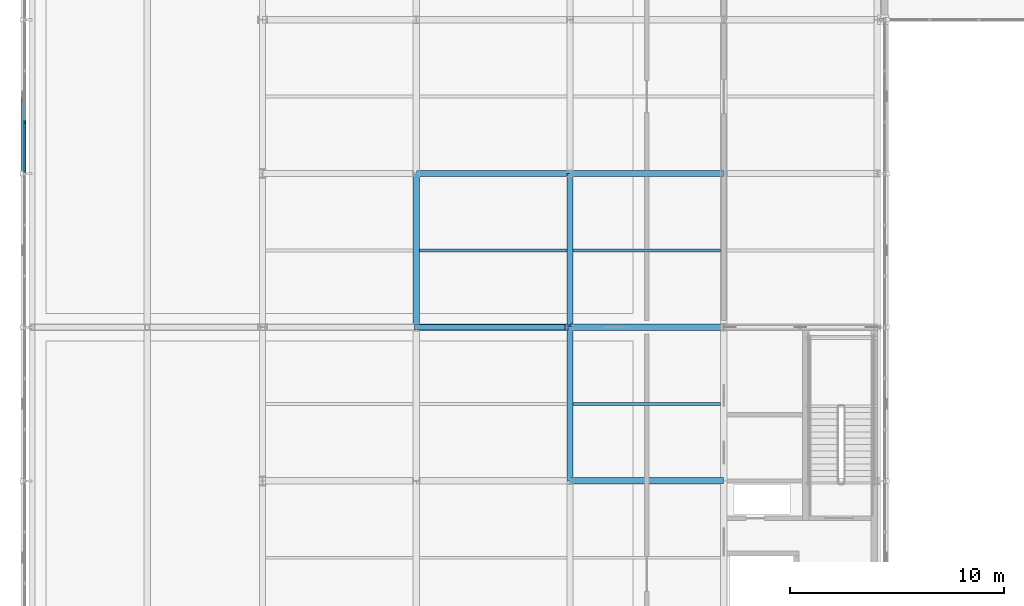
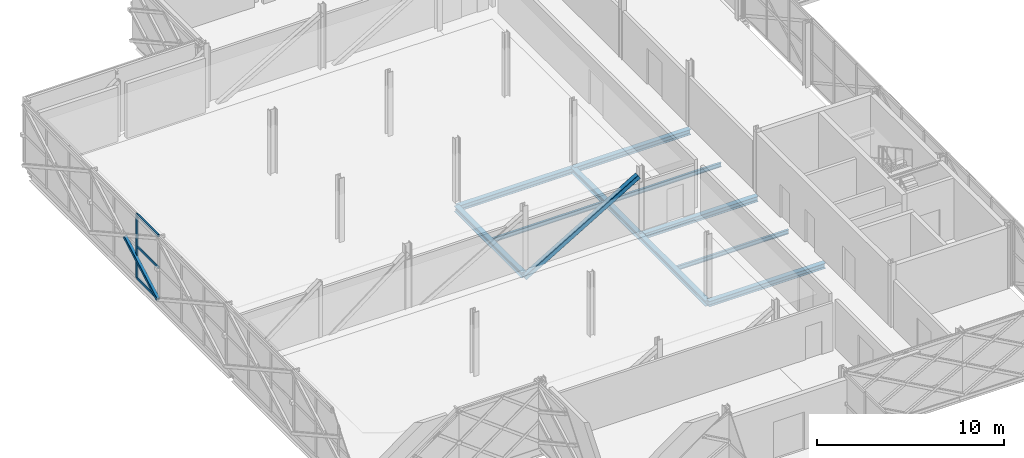
# One storey, part 41 of 126: 10 beams, 6 members, 1 element without a shape of its own.
"""IFC4 building model written with IfcOpenShell, lengths in metres."""

from ifc_helpers import new_model, si_unit, direction, frame, origin, origin_2d, place, context, subcontext, project, spatial, rectangle, hollow_rectangle, i_section, extrude, material, material_profile, profile_set, type_object, element, aggregate, save


model = new_model("IFC4")

# Units and contexts
model_context = context("Model", 3, precision=1e-05, world=origin(), true_north=direction((0.0, 1.0)))
body_context = subcontext(model_context, "Body", "Model", "MODEL_VIEW")
ifc_project = project(units=[si_unit("LENGTHUNIT", "METRE"), si_unit("AREAUNIT", "SQUARE_METRE"), si_unit("VOLUMEUNIT", "CUBIC_METRE"), si_unit("PLANEANGLEUNIT", "RADIAN"), si_unit("MASSUNIT", "GRAM", prefix="KILO")], contexts=[model_context])

# Site, building, storey
site_placement = place(None, origin())
site = spatial("IfcSite", under=ifc_project, at=site_placement, CompositionType="ELEMENT")
building_placement = place(site_placement, origin())
building = spatial("IfcBuilding", under=site, at=building_placement, Name="Zlatovets Crest Museum", CompositionType="ELEMENT")
storey_placement = place(building_placement, frame((0.0, 0.0, 8.699951171875)))
storey = spatial("IfcBuildingStorey", under=building, at=storey_placement, Name="L02", CompositionType="ELEMENT", Elevation=8.699951171875)

# Beams
ifc_material_1 = material(Name="Structural steel S355J2", Category="steel")
ifc_material_profile_1 = material_profile(ifc_material_1, i_section(OverallWidth=0.300048828125, OverallDepth=0.35009765625, WebThickness=0.010009765625, FlangeThickness=0.017578125, FilletRadius=0.027099609375, at=origin_2d()), Name="HEA 360")
ifc_profile_set_1 = profile_set([ifc_material_profile_1], Name="Structural steel S355J2")
beam_type_1 = type_object("IfcBeamType", Name="Beam_B-03", PredefinedType="BEAM", material=ifc_profile_set_1)
for number, where, z_axis, x_axis, name in (
    (1, (21.60009765625, 64.800048828125, -0.39501953125), (1.0, 0.0, 0.0), (0.0, 1.0, 0.0), "V4 L02 Primary Girder B-03"),
    (2, (21.60009765625, 72.0, -0.39501953125), (1.0, 0.0, 0.0), (0.0, 1.0, 0.0), "V4 L02 Primary Girder B-03"),
):
    element("IfcBeam", number, at=place(storey_placement, frame(where, z_axis=z_axis, x_axis=x_axis)), inside=storey, type_object=beam_type_1, Name=name, PredefinedType="BEAM", context=body_context, shape_type="SweptSolid", body=[
        extrude(i_section(OverallWidth=0.300048828125, OverallDepth=0.35009765625, WebThickness=0.010009765625, FlangeThickness=0.017578125, FilletRadius=0.027099609375, at=origin_2d()), origin(), (0.0, 0.0, 1.0), 7.199951171875),
    ])
beam_placement = place(storey_placement, frame((14.39990234375, 79.199951171875, -0.39501953125), z_axis=(1.0, 0.0, 0.0), x_axis=(0.0, 1.0, 0.0)))
element("IfcBeam", 3, at=beam_placement, inside=storey, type_object=beam_type_1, Name="V4 L02 Primary Girder B-03", PredefinedType="BEAM", context=body_context, shape_type="SweptSolid", body=[
    extrude(i_section(OverallWidth=0.300048828125, OverallDepth=0.35009765625, WebThickness=0.010009765625, FlangeThickness=0.017578125, FilletRadius=0.027099609375, at=origin_2d()), origin(), (0.0, 0.0, 1.0), 7.2001953125),
])
for number, where, z_axis, x_axis, name in (
    (4, (21.60009765625, 79.199951171875, -0.39501953125), (1.0, 0.0, 0.0), (0.0, 1.0, 0.0), "V4 L02 Primary Girder B-03"),
    (5, (14.39990234375, 72.0, -0.39501953125), (0.0, 1.0, 0.0), (-1.0, 0.0, 0.0), "V4 L02 Grid Beam B-03"),
    (6, (21.60009765625, 64.800048828125, -0.39501953125), (0.0, 1.0, 0.0), (-1.0, 0.0, 0.0), "V4 L02 Grid Beam B-03"),
    (7, (21.60009765625, 72.0, -0.39501953125), (0.0, 1.0, 0.0), (-1.0, 0.0, 0.0), "V4 L02 Grid Beam B-03"),
):
    element("IfcBeam", number, at=place(storey_placement, frame(where, z_axis=z_axis, x_axis=x_axis)), inside=storey, type_object=beam_type_1, Name=name, PredefinedType="BEAM", context=body_context, shape_type="SweptSolid", body=[
        extrude(i_section(OverallWidth=0.300048828125, OverallDepth=0.35009765625, WebThickness=0.010009765625, FlangeThickness=0.017578125, FilletRadius=0.027099609375, at=origin_2d()), origin(), (0.0, 0.0, 1.0), 7.199951171875),
    ])
ifc_material_profile_2 = material_profile(ifc_material_1, i_section(OverallWidth=0.135009765625, OverallDepth=0.27001953125, WebThickness=0.006591796875, FlangeThickness=0.01025390625, FilletRadius=0.014892578125, at=origin_2d()), Name="IPE 270")
ifc_profile_set_2 = profile_set([ifc_material_profile_2], Name="Structural steel S355J2")
beam_type_2 = type_object("IfcBeamType", Name="Beam_J-03", PredefinedType="JOIST", material=ifc_profile_set_2)
for number, where, z_axis, x_axis, name in (
    (8, (14.550048828125, 75.60009765625, -0.35498046875), (1.0, 0.0, 0.0), (0.0, 1.0, 0.0), "V4 L02 Composite Joist J-03"),
    (9, (21.75, 68.39990234375, -0.35498046875), (1.0, 0.0, 0.0), (0.0, 1.0, 0.0), "V4 L02 Composite Joist J-03"),
    (10, (21.75, 75.60009765625, -0.35498046875), (1.0, 0.0, 0.0), (0.0, 1.0, 0.0), "V4 L02 Composite Joist J-03"),
):
    element("IfcBeam", number, at=place(storey_placement, frame(where, z_axis=z_axis, x_axis=x_axis)), inside=storey, type_object=beam_type_2, Name=name, PredefinedType="JOIST", context=body_context, shape_type="SweptSolid", body=[
        extrude(i_section(OverallWidth=0.135009765625, OverallDepth=0.27001953125, WebThickness=0.006591796875, FlangeThickness=0.01025390625, FilletRadius=0.014892578125, at=origin_2d()), origin(), (0.0, 0.0, 1.0), 6.89990234375),
    ])

# Curtain wall, members
ifc_material_2 = material(Name="Bronze-anodised aluminium and low-E triple glass", Category="aluminium")
curtain_wall_type = type_object("IfcCurtainWallType", Name="CW_CW-V4-L02-M3", PredefinedType="NOTDEFINED", material=ifc_material_2)
curtain_wall_placement = place(storey_placement, origin())
curtain_wall = element("IfcCurtainWall", 11, at=curtain_wall_placement, inside=storey, type_object=curtain_wall_type, Name="V4 L02 Secession Foyer Clear Curtain Wall", PredefinedType="NOTDEFINED")
ifc_material_3 = material(Name="Bronze-anodised aluminium EN AW-6060", Category="aluminium")
ifc_material_profile_3 = material_profile(ifc_material_3, rectangle(XDim=0.080078125, YDim=0.159912109375, at=origin_2d()), Name="ALU 80x160")
ifc_profile_set_3 = profile_set([ifc_material_profile_3], Name="Bronze-anodised aluminium EN AW-6060")
member_type_1 = type_object("IfcMemberType", Name="CWMull_M1", PredefinedType="MULLION", material=ifc_profile_set_3)
member_1_placement = place(storey_placement, frame((-3.93994140625, 81.60009765625, 0.0), z_axis=(0.0, 0.0, 1.0), x_axis=(1.0, 0.0, 0.0)))
member_1 = element("IfcMember", 12, at=member_1_placement, type_object=member_type_1, Name="CW-V4-L02-M3 mullion 3", PredefinedType="MULLION", context=body_context, shape_type="SweptSolid", body=[
    extrude(rectangle(XDim=0.080078125, YDim=0.159912109375, at=origin_2d()), origin(), (0.0, 0.0, 1.0), 4.199951171875),
])
ifc_material_profile_4 = material_profile(ifc_material_3, rectangle(XDim=0.080078125, YDim=0.159912109375, at=origin_2d()), Name="ALU 80x160")
ifc_profile_set_4 = profile_set([ifc_material_profile_4], Name="Bronze-anodised aluminium EN AW-6060")
member_type_2 = type_object("IfcMemberType", Name="CWTrans_T1", PredefinedType="USERDEFINED", material=ifc_profile_set_4)
member_2_placement = place(storey_placement, frame((-3.93994140625, 81.570068359375, 0.030029296875), z_axis=(0.0, -1.0, 0.0), x_axis=(1.0, 0.0, 0.0)))
member_2 = element("IfcMember", 13, at=member_2_placement, type_object=member_type_2, Name="CW-V4-L02-M3 transom 3.1", ObjectType="TRANSOM", PredefinedType="USERDEFINED", context=body_context, shape_type="SweptSolid", body=[
    extrude(rectangle(XDim=0.080078125, YDim=0.159912109375, at=origin_2d()), origin(), (0.0, 0.0, 1.0), 2.31005859375),
])
member_3_placement = place(storey_placement, frame((-3.93994140625, 81.570068359375, 2.10009765625), z_axis=(0.0, -1.0, 0.0), x_axis=(1.0, 0.0, 0.0)))
member_3 = element("IfcMember", 14, at=member_3_placement, type_object=member_type_2, Name="CW-V4-L02-M3 transom 3.2", ObjectType="TRANSOM", PredefinedType="USERDEFINED", context=body_context, shape_type="SweptSolid", body=[
    extrude(rectangle(XDim=0.080078125, YDim=0.159912109375, at=origin_2d()), origin(), (0.0, 0.0, 1.0), 2.31005859375),
])
member_4_placement = place(storey_placement, frame((-3.93994140625, 81.570068359375, 4.170166015625), z_axis=(0.0, -1.0, 0.0), x_axis=(1.0, 0.0, 0.0)))
member_4 = element("IfcMember", 15, at=member_4_placement, type_object=member_type_2, Name="CW-V4-L02-M3 transom 3.3", ObjectType="TRANSOM", PredefinedType="USERDEFINED", context=body_context, shape_type="SweptSolid", body=[
    extrude(rectangle(XDim=0.080078125, YDim=0.159912109375, at=origin_2d()), origin(), (0.0, 0.0, 1.0), 2.31005859375),
])
aggregate(curtain_wall, [member_1, member_2, member_3, member_4])

# Members
ifc_material_4 = material(Name="Weathering bronze-steel S355J2W", Category="steel")
ifc_material_profile_5 = material_profile(ifc_material_4, hollow_rectangle(XDim=0.199951171875, YDim=0.199951171875, WallThickness=0.012451171875, InnerFilletRadius=0.012451171875, OuterFilletRadius=0.02490234375, at=origin_2d()), Name="SHS 200x200x12.5")
ifc_profile_set_5 = profile_set([ifc_material_profile_5], Name="Weathering bronze-steel S355J2W")
member_type_3 = type_object("IfcMemberType", Name="Lattice_XL-02", PredefinedType="BRACE", material=ifc_profile_set_5)
member_5_placement = place(storey_placement, frame((-4.02001953125, 82.717041015625, 2.053955078125), z_axis=(0.0, -0.874165862873, -0.485627474703), x_axis=(1.0, 0.0, 0.0)))
element("IfcMember", 16, at=member_5_placement, inside=storey, type_object=member_type_3, Name="Split Crossing Bronze Lattice Diagonal Lower", PredefinedType="BRACE", context=body_context, shape_type="SweptSolid", body=[
    extrude(hollow_rectangle(XDim=0.199951171875, YDim=0.199951171875, WallThickness=0.012451171875, InnerFilletRadius=0.012451171875, OuterFilletRadius=0.02490234375, at=origin_2d()), origin(), (0.0, 0.0, 1.0), 4.0234375),
])
ifc_material_profile_6 = material_profile(ifc_material_1, hollow_rectangle(XDim=0.300048828125, YDim=0.300048828125, WallThickness=0.01611328125, InnerFilletRadius=0.01611328125, OuterFilletRadius=0.031982421875, at=origin_2d()), Name="SHS 300x300x16.0")
ifc_profile_set_6 = profile_set([ifc_material_profile_6], Name="Structural steel S355J2")
member_type_4 = type_object("IfcMemberType", Name="Member_TM-08", PredefinedType="BRACE", material=ifc_profile_set_6)
member_6_placement = place(storey_placement, frame((14.39990234375, 72.0, -0.570068359375), z_axis=(0.859846562478, 0.0, 0.51055253304), x_axis=(0.0, 1.0, 0.0)))
element("IfcMember", 17, at=member_6_placement, inside=storey, type_object=member_type_4, Name="Transfer Truss TT-2 Lower Web Diagonal", PredefinedType="BRACE", context=body_context, shape_type="SweptSolid", body=[
    extrude(hollow_rectangle(XDim=0.300048828125, YDim=0.300048828125, WallThickness=0.01611328125, InnerFilletRadius=0.01611328125, OuterFilletRadius=0.031982421875, at=origin_2d()), origin(), (0.0, 0.0, 1.0), 8.1875),
])

save(model, "model.ifc")
